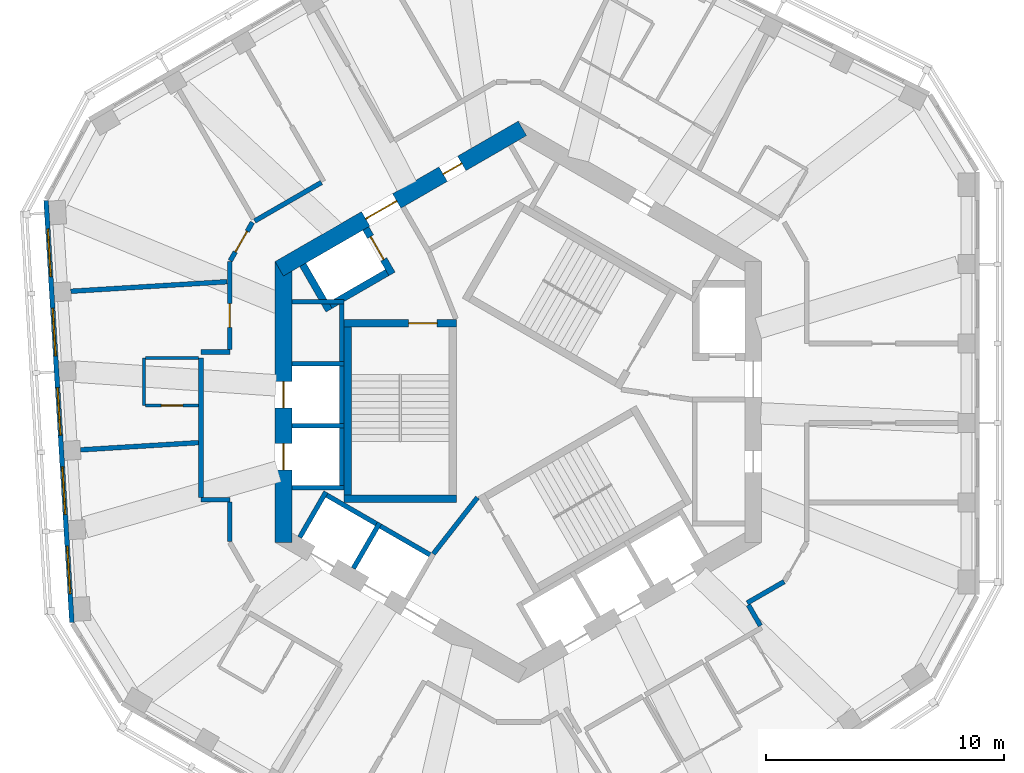
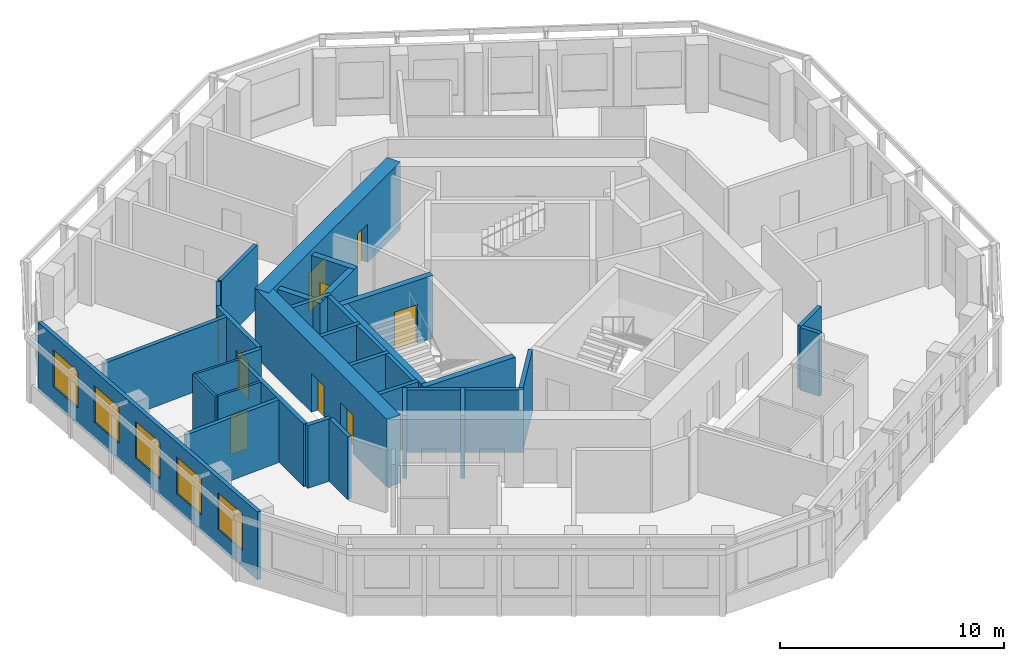
# One storey, part 5 of 11: 32 walls, 9 doors, 5 windows, 14 openings.
"""IFC4 building model written with IfcOpenShell, lengths in metres."""

from ifc_helpers import new_model, si_unit, direction, frame, frame_2d, origin, place, context, subcontext, project, spatial, rectangle, extrude, material, layer, layer_set, type_object, element, fill, save


model = new_model("IFC4")

# Units and contexts
model_context = context("Model", 3, precision=1e-05, world=origin(), true_north=direction((0.0, 1.0)))
body_context = subcontext(model_context, "Body", "Model", "MODEL_VIEW")
ifc_project = project(units=[si_unit("LENGTHUNIT", "METRE"), si_unit("AREAUNIT", "SQUARE_METRE"), si_unit("VOLUMEUNIT", "CUBIC_METRE"), si_unit("PLANEANGLEUNIT", "RADIAN"), si_unit("MASSUNIT", "GRAM", prefix="KILO")], contexts=[model_context])

# Site, building, storey
site_placement = place(None, origin())
site = spatial("IfcSite", under=ifc_project, at=site_placement, CompositionType="ELEMENT")
building_placement = place(site_placement, origin())
building = spatial("IfcBuilding", under=site, at=building_placement, Name="Vanh Sen Convention Tower", CompositionType="ELEMENT")
storey_placement = place(building_placement, frame((0.0, 0.0, 289.39990234375)))
storey = spatial("IfcBuildingStorey", under=building, at=storey_placement, Name="L71", CompositionType="ELEMENT", Elevation=289.39990234375)

# Walls
ifc_material_1 = material(Name="Moisture-resistant gypsum board on steel studs", Category="steel")
ifc_layer_1 = layer(ifc_material_1, 0.1201171875)
ifc_layer_set_1 = layer_set([ifc_layer_1], Name="Moisture-resistant gypsum board on steel studs")
wall_type_1 = type_object("IfcWallType", Name="Bathroom partition 120", PredefinedType="PARTITIONING", material=ifc_layer_set_1)
wall_1_placement = place(storey_placement, frame((-15.700927734375, -0.14892578125, 0.0), z_axis=(0.0, 0.0, 1.0), x_axis=(0.0, 1.0, 0.0)))
element("IfcWall", 1, at=wall_1_placement, inside=storey, type_object=wall_type_1, Name="Bathroom partition 120", PredefinedType="PARTITIONING", context=body_context, shape_type="SweptSolid", body=[
    extrude(rectangle(XDim=2.0, YDim=0.1201171875, at=frame_2d((1.0, 0.0))), origin(), (0.0, 0.0, 1.0), 3.420166015625),
])
wall_2_placement = place(storey_placement, frame((-15.64111328125, 1.85107421875, 0.0), z_axis=(0.0, 0.0, 1.0), x_axis=(1.0, 0.0, 0.0)))
element("IfcWall", 2, at=wall_2_placement, inside=storey, type_object=wall_type_1, Name="Bathroom partition 120", PredefinedType="PARTITIONING", context=body_context, shape_type="SweptSolid", body=[
    extrude(rectangle(XDim=2.240234375, YDim=0.1201171875, at=frame_2d((1.1201171875, 0.0))), origin(), (0.0, 0.0, 1.0), 3.420166015625),
])

# Wall, opening, door
wall_3_placement = place(storey_placement, frame((-13.40087890625, -0.14892578125, 0.0), z_axis=(0.0, 0.0, 1.0), x_axis=(-1.0, 0.0, 0.0)))
wall_3 = element("IfcWall", 3, at=wall_3_placement, inside=storey, type_object=wall_type_1, Name="Bathroom partition 120", PredefinedType="PARTITIONING", context=body_context, shape_type="SweptSolid", body=[
    extrude(rectangle(XDim=2.240234375, YDim=0.1201171875, at=frame_2d((1.1201171875, 0.0))), origin(), (0.0, 0.0, 1.0), 3.420166015625),
])
opening_1_placement = place(wall_3_placement, frame((0.669921875, 0.0, 0.0)))
opening_1 = element("IfcOpeningElement", 4, at=opening_1_placement, cuts=wall_3, Name="Opening D70112", PredefinedType="OPENING", context=body_context, shape_type="SweptSolid", body=[
    extrude(rectangle(XDim=0.89990234375, YDim=2.10009765625, at=frame_2d((0.449951171875, 1.050048828125))), frame((0.0, 0.070068359375, 0.0), z_axis=(0.0, -1.0, 0.0), x_axis=(1.0, 0.0, 0.0)), (0.0, 0.0, 1.0), 0.14013671875),
])
ifc_material_2 = material(Name="Laminate door in steel frame", Category="steel")
door_type_1 = type_object("IfcDoorType", Name="Room internal door 900", OperationType="SINGLE_SWING_LEFT", PredefinedType="DOOR", material=ifc_material_2)
door_1_placement = place(opening_1_placement, origin())
door_1 = element("IfcDoor", 5, at=door_1_placement, inside=storey, type_object=door_type_1, Name="Internal room door D70112", OperationType="SINGLE_SWING_LEFT", OverallHeight=2.10009765625, OverallWidth=0.89990234375, PredefinedType="DOOR", context=body_context, shape_type="SweptSolid", body=[
    extrude(rectangle(XDim=0.89990234375, YDim=2.10009765625, at=frame_2d((0.449951171875, 1.050048828125))), frame((0.0, 0.02490234375, 0.0), z_axis=(0.0, -1.0, 0.0), x_axis=(1.0, 0.0, 0.0)), (0.0, 0.0, 1.0), 0.050048828125),
])
fill(opening_1, door_1)

# Wall, openings, doors
ifc_material_3 = material(Name="Concrete C60/75", Category="concrete")
ifc_layer_2 = layer(ifc_material_3, 0.699951171875)
ifc_layer_set_2 = layer_set([ifc_layer_2], Name="Concrete C60/75")
wall_type_2 = type_object("IfcWallType", Name="Core outer wall 700 C60/75", PredefinedType="SHEAR", material=ifc_layer_set_2)
wall_4_placement = place(storey_placement, frame((0.175048828125, 11.474853515625, 0.0), z_axis=(0.0, 0.0, 1.0), x_axis=(-0.866026453023, -0.499998182661, 0.0)))
wall_4 = element("IfcWall", 6, at=wall_4_placement, inside=storey, type_object=wall_type_2, Name="Core wall face NW L71", PredefinedType="SHEAR", context=body_context, shape_type="SweptSolid", body=[
    extrude(rectangle(XDim=11.77783203125, YDim=0.699951171875, at=frame_2d((5.888916015625, 0.0))), origin(), (0.0, 0.0, 1.0), 3.7001953125),
])
opening_2_placement = place(wall_4_placement, frame((6.089111328125, 0.0, 0.0)))
opening_2 = element("IfcOpeningElement", 7, at=opening_2_placement, cuts=wall_4, Name="Opening D70002", PredefinedType="OPENING", context=body_context, shape_type="SweptSolid", body=[
    extrude(rectangle(XDim=1.5, YDim=2.10009765625, at=frame_2d((0.75, 1.050048828125))), frame((0.0, 0.35986328125, 0.0), z_axis=(0.0, -1.0, 0.0), x_axis=(1.0, 0.0, 0.0)), (0.0, 0.0, 1.0), 0.719970703125),
])
opening_3_placement = place(wall_4_placement, frame((2.93896484375, 0.0, 0.0)))
opening_3 = element("IfcOpeningElement", 8, at=opening_3_placement, cuts=wall_4, Name="Opening D70010", PredefinedType="OPENING", context=body_context, shape_type="SweptSolid", body=[
    extrude(rectangle(XDim=0.89990234375, YDim=2.10009765625, at=frame_2d((0.449951171875, 1.050048828125))), frame((0.0, 0.35986328125, 0.0), z_axis=(0.0, -1.0, 0.0), x_axis=(1.0, 0.0, 0.0)), (0.0, 0.0, 1.0), 0.719970703125),
])
ifc_material_4 = material(Name="Steel S355", Category="steel")
door_type_2 = type_object("IfcDoorType", Name="Plant door 900", OperationType="SINGLE_SWING_LEFT", PredefinedType="DOOR", material=ifc_material_4)
door_2_placement = place(opening_3_placement, origin())
door_2 = element("IfcDoor", 9, at=door_2_placement, inside=storey, type_object=door_type_2, Name="Plant door D70010", OperationType="SINGLE_SWING_LEFT", OverallHeight=2.10009765625, OverallWidth=0.89990234375, PredefinedType="DOOR", context=body_context, shape_type="SweptSolid", body=[
    extrude(rectangle(XDim=0.89990234375, YDim=2.10009765625, at=frame_2d((0.449951171875, 1.050048828125))), frame((0.0, 0.02490234375, 0.0), z_axis=(0.0, -1.0, 0.0), x_axis=(1.0, 0.0, 0.0)), (0.0, 0.0, 1.0), 0.050048828125),
])
fill(opening_3, door_2)
door_type_3 = type_object("IfcDoorType", Name="Stair lobby door 1500", OperationType="DOUBLE_DOOR_SINGLE_SWING", PredefinedType="DOOR", material=ifc_material_4)
door_3_placement = place(opening_2_placement, origin())
door_3 = element("IfcDoor", 10, at=door_3_placement, inside=storey, type_object=door_type_3, Name="Stair lobby door D70002", OperationType="DOUBLE_DOOR_SINGLE_SWING", OverallHeight=2.10009765625, OverallWidth=1.5, PredefinedType="DOOR", context=body_context, shape_type="SweptSolid", body=[
    extrude(rectangle(XDim=1.5, YDim=2.10009765625, at=frame_2d((0.75, 1.050048828125))), frame((0.0, 0.02490234375, 0.0), z_axis=(0.0, -1.0, 0.0), x_axis=(1.0, 0.0, 0.0)), (0.0, 0.0, 1.0), 0.050048828125),
])
fill(opening_2, door_3)

wall_5_placement = place(storey_placement, frame((-9.85009765625, 5.888916015625, 0.0), z_axis=(0.0, 0.0, 1.0), x_axis=(0.0, -1.0, 0.0)))
wall_5 = element("IfcWall", 11, at=wall_5_placement, inside=storey, type_object=wall_type_2, Name="Core wall face W L71", PredefinedType="SHEAR", context=body_context, shape_type="SweptSolid", body=[
    extrude(rectangle(XDim=11.77783203125, YDim=0.699951171875, at=frame_2d((5.888916015625, 0.0))), origin(), (0.0, 0.0, 1.0), 3.7001953125),
])
opening_4_placement = place(wall_5_placement, frame((5.0390625, 0.0, 0.0)))
opening_4 = element("IfcOpeningElement", 12, at=opening_4_placement, cuts=wall_5, Name="Opening LD-HR1", PredefinedType="OPENING", context=body_context, shape_type="SweptSolid", body=[
    extrude(rectangle(XDim=1.10009765625, YDim=2.10009765625, at=frame_2d((0.550048828125, 1.050048828125))), frame((0.0, 0.35986328125, 0.0), z_axis=(0.0, -1.0, 0.0), x_axis=(1.0, 0.0, 0.0)), (0.0, 0.0, 1.0), 0.719970703125),
])
opening_5_placement = place(wall_5_placement, frame((7.638916015625, 0.0, 0.0)))
opening_5 = element("IfcOpeningElement", 13, at=opening_5_placement, cuts=wall_5, Name="Opening LD-HR2", PredefinedType="OPENING", context=body_context, shape_type="SweptSolid", body=[
    extrude(rectangle(XDim=1.10009765625, YDim=2.10009765625, at=frame_2d((0.550048828125, 1.050048828125))), frame((0.0, 0.35986328125, 0.0), z_axis=(0.0, -1.0, 0.0), x_axis=(1.0, 0.0, 0.0)), (0.0, 0.0, 1.0), 0.719970703125),
])
ifc_material_5 = material(Name="Stainless steel", Category="steel")
door_type_4 = type_object("IfcDoorType", Name="Lift landing door 1100", OperationType="DOUBLE_DOOR_SLIDING", PredefinedType="DOOR", material=ifc_material_5)
door_4_placement = place(opening_4_placement, origin())
door_4 = element("IfcDoor", 14, at=door_4_placement, inside=storey, type_object=door_type_4, Name="Lift HR1 landing door LD-HR1", OperationType="DOUBLE_DOOR_SLIDING", OverallHeight=2.10009765625, OverallWidth=1.10009765625, PredefinedType="DOOR", context=body_context, shape_type="SweptSolid", body=[
    extrude(rectangle(XDim=1.10009765625, YDim=2.10009765625, at=frame_2d((0.550048828125, 1.050048828125))), frame((0.0, 0.02490234375, 0.0), z_axis=(0.0, -1.0, 0.0), x_axis=(1.0, 0.0, 0.0)), (0.0, 0.0, 1.0), 0.050048828125),
])
fill(opening_4, door_4)
door_5_placement = place(opening_5_placement, origin())
door_5 = element("IfcDoor", 15, at=door_5_placement, inside=storey, type_object=door_type_4, Name="Lift HR2 landing door LD-HR2", OperationType="DOUBLE_DOOR_SLIDING", OverallHeight=2.10009765625, OverallWidth=1.10009765625, PredefinedType="DOOR", context=body_context, shape_type="SweptSolid", body=[
    extrude(rectangle(XDim=1.10009765625, YDim=2.10009765625, at=frame_2d((0.550048828125, 1.050048828125))), frame((0.0, 0.02490234375, 0.0), z_axis=(0.0, -1.0, 0.0), x_axis=(1.0, 0.0, 0.0)), (0.0, 0.0, 1.0), 0.050048828125),
])
fill(opening_5, door_5)

# Walls
ifc_material_6 = material(Name="Gypsum board on steel studs with mineral wool", Category="steel")
ifc_layer_3 = layer(ifc_material_6, 0.199951171875)
ifc_layer_set_3 = layer_set([ifc_layer_3], Name="Gypsum board on steel studs with mineral wool")
wall_type_3 = type_object("IfcWallType", Name="Corridor partition wall 200", PredefinedType="PARTITIONING", material=ifc_layer_set_3)
wall_6_placement = place(storey_placement, frame((-13.301025390625, -4.10107421875, 0.0), z_axis=(0.0, 0.0, 1.0), x_axis=(1.0, 0.0, 0.0)))
element("IfcWall", 16, at=wall_6_placement, inside=storey, type_object=wall_type_3, Name="Corridor partition wall 200", PredefinedType="PARTITIONING", context=body_context, shape_type="SweptSolid", body=[
    extrude(rectangle(XDim=1.200927734375, YDim=0.199951171875, at=frame_2d((0.6005859375, 0.0))), origin(), (0.0, 0.0, 1.0), 3.420166015625),
])
wall_7_placement = place(storey_placement, frame((-13.301025390625, 1.85107421875, 0.0), z_axis=(0.0, 0.0, 1.0), x_axis=(0.0, -1.0, 0.0)))
element("IfcWall", 17, at=wall_7_placement, inside=storey, type_object=wall_type_3, Name="Corridor partition wall 200", PredefinedType="PARTITIONING", context=body_context, shape_type="SweptSolid", body=[
    extrude(rectangle(XDim=5.85205078125, YDim=0.199951171875, at=frame_2d((2.926025390625, 0.0))), origin(), (0.0, 0.0, 1.0), 3.420166015625),
])
wall_8_placement = place(storey_placement, frame((-12.10009765625, -4.200927734375, 0.0), z_axis=(0.0, 0.0, 1.0), x_axis=(0.0, -1.0, 0.0)))
element("IfcWall", 18, at=wall_8_placement, inside=storey, type_object=wall_type_3, Name="Corridor partition wall 200", PredefinedType="PARTITIONING", context=body_context, shape_type="SweptSolid", body=[
    extrude(rectangle(XDim=1.648193359375, YDim=0.199951171875, at=frame_2d((0.82421875, 0.0))), origin(), (0.0, 0.0, 1.0), 3.420166015625),
])
wall_9_placement = place(storey_placement, frame((-12.10009765625, 2.10107421875, 0.0), z_axis=(0.0, 0.0, 1.0), x_axis=(-1.0, 0.0, 0.0)))
element("IfcWall", 19, at=wall_9_placement, inside=storey, type_object=wall_type_3, Name="Corridor partition wall 200", PredefinedType="PARTITIONING", context=body_context, shape_type="SweptSolid", body=[
    extrude(rectangle(XDim=1.200927734375, YDim=0.199951171875, at=frame_2d((0.6005859375, 0.0))), origin(), (0.0, 0.0, 1.0), 3.420166015625),
])

# Wall, opening, door
wall_10_placement = place(storey_placement, frame((-12.10009765625, 5.888916015625, 0.0), z_axis=(0.0, 0.0, 1.0), x_axis=(0.0, -1.0, 0.0)))
wall_10 = element("IfcWall", 20, at=wall_10_placement, inside=storey, type_object=wall_type_3, Name="Corridor partition wall 200", PredefinedType="PARTITIONING", context=body_context, shape_type="SweptSolid", body=[
    extrude(rectangle(XDim=3.68798828125, YDim=0.199951171875, at=frame_2d((1.843994140625, 0.0))), origin(), (0.0, 0.0, 1.0), 3.420166015625),
])
opening_6_placement = place(wall_10_placement, frame((1.76318359375, 0.0, 0.0)))
opening_6 = element("IfcOpeningElement", 21, at=opening_6_placement, cuts=wall_10, Name="Opening D70111", PredefinedType="OPENING", context=body_context, shape_type="SweptSolid", body=[
    extrude(rectangle(XDim=1.0, YDim=2.10009765625, at=frame_2d((0.5, 1.050048828125))), frame((0.0, 0.10986328125, 0.0), z_axis=(0.0, -1.0, 0.0), x_axis=(1.0, 0.0, 0.0)), (0.0, 0.0, 1.0), 0.219970703125),
])
ifc_material_7 = material(Name="Glazed fire door in steel frame", Category="steel")
door_type_5 = type_object("IfcDoorType", Name="Tenant entrance door 1000", OperationType="SINGLE_SWING_LEFT", PredefinedType="DOOR", material=ifc_material_7)
door_6_placement = place(opening_6_placement, origin())
door_6 = element("IfcDoor", 22, at=door_6_placement, inside=storey, type_object=door_type_5, Name="Tenant suite entrance door D70111", OperationType="SINGLE_SWING_LEFT", OverallHeight=2.10009765625, OverallWidth=1.0, PredefinedType="DOOR", context=body_context, shape_type="SweptSolid", body=[
    extrude(rectangle(XDim=1.0, YDim=2.10009765625, at=frame_2d((0.5, 1.050048828125))), frame((0.0, 0.02490234375, 0.0), z_axis=(0.0, -1.0, 0.0), x_axis=(1.0, 0.0, 0.0)), (0.0, 0.0, 1.0), 0.050048828125),
])
fill(opening_6, door_6)

wall_11_placement = place(storey_placement, frame((-11.14990234375, 7.534423828125, 0.0), z_axis=(0.0, 0.0, 1.0), x_axis=(-0.500063286585, -0.865988862174, 0.0)))
wall_11 = element("IfcWall", 23, at=wall_11_placement, inside=storey, type_object=wall_type_3, Name="Corridor partition wall 200", PredefinedType="PARTITIONING", context=body_context, shape_type="SweptSolid", body=[
    extrude(rectangle(XDim=1.860107421875, YDim=0.199951171875, at=frame_2d((0.93017578125, 0.0))), origin(), (0.0, 0.0, 1.0), 3.420166015625),
])
opening_7_placement = place(wall_11_placement, frame((0.43017578125, 0.0, 0.0)))
opening_7 = element("IfcOpeningElement", 24, at=opening_7_placement, cuts=wall_11, Name="Opening D70110", PredefinedType="OPENING", context=body_context, shape_type="SweptSolid", body=[
    extrude(rectangle(XDim=1.0, YDim=2.10009765625, at=frame_2d((0.5, 1.050048828125))), frame((0.0, 0.10986328125, 0.0), z_axis=(0.0, -1.0, 0.0), x_axis=(1.0, 0.0, 0.0)), (0.0, 0.0, 1.0), 0.219970703125),
])
ifc_material_8 = material(Name="Timber fire door in steel frame", Category="steel")
door_type_6 = type_object("IfcDoorType", Name="Floor room door 1000", OperationType="SINGLE_SWING_LEFT", PredefinedType="DOOR", material=ifc_material_8)
door_7_placement = place(opening_7_placement, origin())
door_7 = element("IfcDoor", 25, at=door_7_placement, inside=storey, type_object=door_type_6, Name="Meeting and amenity room door D70110", OperationType="SINGLE_SWING_LEFT", OverallHeight=2.10009765625, OverallWidth=1.0, PredefinedType="DOOR", context=body_context, shape_type="SweptSolid", body=[
    extrude(rectangle(XDim=1.0, YDim=2.10009765625, at=frame_2d((0.5, 1.050048828125))), frame((0.0, 0.02490234375, 0.0), z_axis=(0.0, -1.0, 0.0), x_axis=(1.0, 0.0, 0.0)), (0.0, 0.0, 1.0), 0.050048828125),
])
fill(opening_7, door_7)

# Walls
wall_12_placement = place(storey_placement, frame((-8.2568359375, 9.204833984375, 0.0), z_axis=(0.0, 0.0, 1.0), x_axis=(-0.866030838723, -0.499990586292, 0.0)))
element("IfcWall", 26, at=wall_12_placement, inside=storey, type_object=wall_type_3, Name="Corridor partition wall 200", PredefinedType="PARTITIONING", context=body_context, shape_type="SweptSolid", body=[
    extrude(rectangle(XDim=3.2314453125, YDim=0.199951171875, at=frame_2d((1.61572265625, 0.0))), origin(), (0.0, 0.0, 1.0), 3.420166015625),
])
wall_13_placement = place(storey_placement, frame((9.6015625, -8.428466796875, 0.0), z_axis=(0.0, 0.0, 1.0), x_axis=(0.865999114786, 0.500045531117, 0.0)))
element("IfcWall", 27, at=wall_13_placement, inside=storey, type_object=wall_type_3, Name="Corridor partition wall 200", PredefinedType="PARTITIONING", context=body_context, shape_type="SweptSolid", body=[
    extrude(rectangle(XDim=1.787841796875, YDim=0.199951171875, at=frame_2d((0.89404296875, 0.0))), origin(), (0.0, 0.0, 1.0), 3.420166015625),
])
wall_14_placement = place(storey_placement, frame((10.152099609375, -9.3818359375, 0.0), z_axis=(0.0, 0.0, 1.0), x_axis=(-0.499968756647, 0.866043441391, 0.0)))
element("IfcWall", 28, at=wall_14_placement, inside=storey, type_object=wall_type_3, Name="Corridor partition wall 200", PredefinedType="PARTITIONING", context=body_context, shape_type="SweptSolid", body=[
    extrude(rectangle(XDim=1.0009765625, YDim=0.199951171875, at=frame_2d((0.50048828125, 0.0))), origin(), (0.0, 0.0, 1.0), 3.420166015625),
])

# Wall, openings, windows
ifc_material_9 = material(Name="Insulated lightweight infill wall")
ifc_layer_4 = layer(ifc_material_9, 0.199951171875)
ifc_layer_set_4 = layer_set([ifc_layer_4], Name="Insulated lightweight infill wall")
wall_type_4 = type_object("IfcWallType", Name="External wall 200", PredefinedType="STANDARD", material=ifc_layer_set_4)
wall_15_placement = place(storey_placement, frame((-19.802978515625, 8.4541015625, 0.0), z_axis=(0.0, 0.0, 1.0), x_axis=(0.061036717565, -0.998135521414, 0.0)))
wall_15 = element("IfcWall", 29, at=wall_15_placement, inside=storey, type_object=wall_type_4, Name="External wall W L71", PredefinedType="STANDARD", context=body_context, shape_type="SweptSolid", body=[
    extrude(rectangle(XDim=17.7314453125, YDim=0.199951171875, at=frame_2d((8.86572265625, 0.0))), origin(), (0.0, 0.0, 1.0), 3.7001953125),
])
opening_8_placement = place(wall_15_placement, frame((1.20166015625, 0.0, 0.89990234375)))
opening_8 = element("IfcOpeningElement", 30, at=opening_8_placement, cuts=wall_15, Name="Opening WO5-W1", PredefinedType="OPENING", context=body_context, shape_type="SweptSolid", body=[
    extrude(rectangle(XDim=2.0, YDim=2.0, at=frame_2d((1.0, 1.0))), frame((0.0, 0.10986328125, 0.0), z_axis=(0.0, -1.0, 0.0), x_axis=(1.0, 0.0, 0.0)), (0.0, 0.0, 1.0), 0.219970703125),
])
opening_9_placement = place(wall_15_placement, frame((4.533203125, 0.0, 0.89990234375)))
opening_9 = element("IfcOpeningElement", 31, at=opening_9_placement, cuts=wall_15, Name="Opening WO5-W2", PredefinedType="OPENING", context=body_context, shape_type="SweptSolid", body=[
    extrude(rectangle(XDim=2.0, YDim=2.0, at=frame_2d((1.0, 1.0))), frame((0.0, 0.10986328125, 0.0), z_axis=(0.0, -1.0, 0.0), x_axis=(1.0, 0.0, 0.0)), (0.0, 0.0, 1.0), 0.219970703125),
])
opening_10_placement = place(wall_15_placement, frame((7.864990234375, 0.0, 0.89990234375)))
opening_10 = element("IfcOpeningElement", 32, at=opening_10_placement, cuts=wall_15, Name="Opening WO5-W3", PredefinedType="OPENING", context=body_context, shape_type="SweptSolid", body=[
    extrude(rectangle(XDim=2.0, YDim=2.0, at=frame_2d((1.0, 1.0))), frame((0.0, 0.10986328125, 0.0), z_axis=(0.0, -1.0, 0.0), x_axis=(1.0, 0.0, 0.0)), (0.0, 0.0, 1.0), 0.219970703125),
])
opening_11_placement = place(wall_15_placement, frame((11.196533203125, 0.0, 0.89990234375)))
opening_11 = element("IfcOpeningElement", 33, at=opening_11_placement, cuts=wall_15, Name="Opening WO5-W4", PredefinedType="OPENING", context=body_context, shape_type="SweptSolid", body=[
    extrude(rectangle(XDim=2.0, YDim=2.0, at=frame_2d((1.0, 1.0))), frame((0.0, 0.10986328125, 0.0), z_axis=(0.0, -1.0, 0.0), x_axis=(1.0, 0.0, 0.0)), (0.0, 0.0, 1.0), 0.219970703125),
])
opening_12_placement = place(wall_15_placement, frame((14.5283203125, 0.0, 0.89990234375)))
opening_12 = element("IfcOpeningElement", 34, at=opening_12_placement, cuts=wall_15, Name="Opening WO5-W5", PredefinedType="OPENING", context=body_context, shape_type="SweptSolid", body=[
    extrude(rectangle(XDim=2.0, YDim=2.0, at=frame_2d((1.0, 1.0))), frame((0.0, 0.10986328125, 0.0), z_axis=(0.0, -1.0, 0.0), x_axis=(1.0, 0.0, 0.0)), (0.0, 0.0, 1.0), 0.219970703125),
])
ifc_material_10 = material(Name="Aluminium frame with clear low-emissivity glass", Category="aluminium")
window_type = type_object("IfcWindowType", Name="Office window 2000 x 2000", PartitioningType="SINGLE_PANEL", PredefinedType="WINDOW", material=ifc_material_10)
window_1_placement = place(opening_8_placement, origin())
window_1 = element("IfcWindow", 35, at=window_1_placement, inside=storey, type_object=window_type, Name="Window WO5-W1", OverallHeight=2.0, OverallWidth=2.0, PartitioningType="SINGLE_PANEL", PredefinedType="WINDOW", context=body_context, shape_type="SweptSolid", body=[
    extrude(rectangle(XDim=2.0, YDim=2.0, at=frame_2d((1.0, 1.0))), frame((0.0, 0.030029296875, 0.0), z_axis=(0.0, -1.0, 0.0), x_axis=(1.0, 0.0, 0.0)), (0.0, 0.0, 1.0), 0.06005859375),
])
fill(opening_8, window_1)
window_2_placement = place(opening_9_placement, origin())
window_2 = element("IfcWindow", 36, at=window_2_placement, inside=storey, type_object=window_type, Name="Window WO5-W2", OverallHeight=2.0, OverallWidth=2.0, PartitioningType="SINGLE_PANEL", PredefinedType="WINDOW", context=body_context, shape_type="SweptSolid", body=[
    extrude(rectangle(XDim=2.0, YDim=2.0, at=frame_2d((1.0, 1.0))), frame((0.0, 0.030029296875, 0.0), z_axis=(0.0, -1.0, 0.0), x_axis=(1.0, 0.0, 0.0)), (0.0, 0.0, 1.0), 0.06005859375),
])
fill(opening_9, window_2)
window_3_placement = place(opening_10_placement, origin())
window_3 = element("IfcWindow", 37, at=window_3_placement, inside=storey, type_object=window_type, Name="Window WO5-W3", OverallHeight=2.0, OverallWidth=2.0, PartitioningType="SINGLE_PANEL", PredefinedType="WINDOW", context=body_context, shape_type="SweptSolid", body=[
    extrude(rectangle(XDim=2.0, YDim=2.0, at=frame_2d((1.0, 1.0))), frame((0.0, 0.030029296875, 0.0), z_axis=(0.0, -1.0, 0.0), x_axis=(1.0, 0.0, 0.0)), (0.0, 0.0, 1.0), 0.06005859375),
])
fill(opening_10, window_3)
window_4_placement = place(opening_11_placement, origin())
window_4 = element("IfcWindow", 38, at=window_4_placement, inside=storey, type_object=window_type, Name="Window WO5-W4", OverallHeight=2.0, OverallWidth=2.0, PartitioningType="SINGLE_PANEL", PredefinedType="WINDOW", context=body_context, shape_type="SweptSolid", body=[
    extrude(rectangle(XDim=2.0, YDim=2.0, at=frame_2d((1.0, 1.0))), frame((0.0, 0.030029296875, 0.0), z_axis=(0.0, -1.0, 0.0), x_axis=(1.0, 0.0, 0.0)), (0.0, 0.0, 1.0), 0.06005859375),
])
fill(opening_11, window_4)
window_5_placement = place(opening_12_placement, origin())
window_5 = element("IfcWindow", 39, at=window_5_placement, inside=storey, type_object=window_type, Name="Window WO5-W5", OverallHeight=2.0, OverallWidth=2.0, PartitioningType="SINGLE_PANEL", PredefinedType="WINDOW", context=body_context, shape_type="SweptSolid", body=[
    extrude(rectangle(XDim=2.0, YDim=2.0, at=frame_2d((1.0, 1.0))), frame((0.0, 0.030029296875, 0.0), z_axis=(0.0, -1.0, 0.0), x_axis=(1.0, 0.0, 0.0)), (0.0, 0.0, 1.0), 0.06005859375),
])
fill(opening_12, window_5)

# Wall, opening, door
ifc_layer_5 = layer(ifc_material_3, 0.300048828125)
ifc_layer_set_5 = layer_set([ifc_layer_5], Name="Concrete C60/75")
wall_type_5 = type_object("IfcWallType", Name="Fire-fighting lift shaft wall 300", PredefinedType="SHEAR", material=ifc_layer_set_5)
wall_16_placement = place(storey_placement, frame((-5.29541015625, 5.3720703125, 0.0), z_axis=(0.0, 0.0, 1.0), x_axis=(-0.500077893725, 0.86598042715, 0.0)))
wall_16 = element("IfcWall", 40, at=wall_16_placement, inside=storey, type_object=wall_type_5, Name="Fire-fighting lift shaft wall L71", PredefinedType="SHEAR", context=body_context, shape_type="SweptSolid", body=[
    extrude(rectangle(XDim=2.199951171875, YDim=0.300048828125, at=frame_2d((1.10009765625, 0.0))), origin(), (0.0, 0.0, 1.0), 3.420166015625),
])
opening_13_placement = place(wall_16_placement, frame((0.699951171875, 0.0, 0.0)))
opening_13 = element("IfcOpeningElement", 41, at=opening_13_placement, cuts=wall_16, Name="Opening LD-FF2", PredefinedType="OPENING", context=body_context, shape_type="SweptSolid", body=[
    extrude(rectangle(XDim=1.10009765625, YDim=2.10009765625, at=frame_2d((0.550048828125, 1.050048828125))), frame((0.0, 0.159912109375, 0.0), z_axis=(0.0, -1.0, 0.0), x_axis=(1.0, 0.0, 0.0)), (0.0, 0.0, 1.0), 0.320068359375),
])
door_type_7 = type_object("IfcDoorType", Name="Fire-fighting lift landing door 1100", OperationType="DOUBLE_DOOR_SLIDING", PredefinedType="DOOR", material=ifc_material_5)
door_8_placement = place(opening_13_placement, origin())
door_8 = element("IfcDoor", 42, at=door_8_placement, inside=storey, type_object=door_type_7, Name="Lift FF2 landing door LD-FF2", OperationType="DOUBLE_DOOR_SLIDING", OverallHeight=2.10009765625, OverallWidth=1.10009765625, PredefinedType="DOOR", context=body_context, shape_type="SweptSolid", body=[
    extrude(rectangle(XDim=1.10009765625, YDim=2.10009765625, at=frame_2d((0.550048828125, 1.050048828125))), frame((0.0, 0.02490234375, 0.0), z_axis=(0.0, -1.0, 0.0), x_axis=(1.0, 0.0, 0.0)), (0.0, 0.0, 1.0), 0.050048828125),
])
fill(opening_13, door_8)

# Walls
wall_17_placement = place(storey_placement, frame((-5.240478515625, 5.576904296875, 0.0), z_axis=(0.0, 0.0, 1.0), x_axis=(-0.866014461049, -0.500018952895, 0.0)))
element("IfcWall", 43, at=wall_17_placement, inside=storey, type_object=wall_type_5, Name="Fire-fighting lift shaft wall L71", PredefinedType="SHEAR", context=body_context, shape_type="SweptSolid", body=[
    extrude(rectangle(XDim=3.349853515625, YDim=0.300048828125, at=frame_2d((1.6748046875, 0.0))), origin(), (0.0, 0.0, 1.0), 3.420166015625),
])
wall_18_placement = place(storey_placement, frame((-7.936767578125, 3.846923828125, 0.0), z_axis=(0.0, 0.0, 1.0), x_axis=(-0.50002983664, 0.866008176907, 0.0)))
element("IfcWall", 44, at=wall_18_placement, inside=storey, type_object=wall_type_5, Name="Fire-fighting lift shaft wall L71", PredefinedType="SHEAR", context=body_context, shape_type="SweptSolid", body=[
    extrude(rectangle(XDim=2.199951171875, YDim=0.300048828125, at=frame_2d((1.10009765625, 0.0))), origin(), (0.0, 0.0, 1.0), 3.420166015625),
])
ifc_material_11 = material(Name="Concrete C40/50", Category="concrete")
ifc_layer_6 = layer(ifc_material_11, 0.199951171875)
ifc_layer_set_6 = layer_set([ifc_layer_6], Name="Concrete C40/50")
wall_type_6 = type_object("IfcWallType", Name="Lift shaft wall 200", PredefinedType="PARTITIONING", material=ifc_layer_set_6)
wall_19_placement = place(storey_placement, frame((-7.39990234375, 4.300048828125, 0.0), z_axis=(0.0, 0.0, 1.0), x_axis=(0.0, -1.0, 0.0)))
element("IfcWall", 45, at=wall_19_placement, inside=storey, type_object=wall_type_6, Name="Lift shaft wall L71", PredefinedType="PARTITIONING", context=body_context, shape_type="SweptSolid", body=[
    extrude(rectangle(XDim=8.0, YDim=0.199951171875, at=frame_2d((4.0, 0.0))), origin(), (0.0, 0.0, 1.0), 3.420166015625),
])
for number, where, z_axis, x_axis, name in (
    (46, (-7.300048828125, 4.199951171875, 0.0), (0.0, 0.0, 1.0), (-1.0, 0.0, 0.0), "Lift shaft wall L71"),
    (47, (-7.300048828125, 1.60009765625, 0.0), (0.0, 0.0, 1.0), (-1.0, 0.0, 0.0), "Lift shaft wall L71"),
    (48, (-7.300048828125, -1.0, 0.0), (0.0, 0.0, 1.0), (-1.0, 0.0, 0.0), "Lift shaft wall L71"),
    (49, (-7.300048828125, -3.60009765625, 0.0), (0.0, 0.0, 1.0), (-1.0, 0.0, 0.0), "Lift shaft wall L71"),
):
    element("IfcWall", number, at=place(storey_placement, frame(where, z_axis=z_axis, x_axis=x_axis)), inside=storey, type_object=wall_type_6, Name=name, PredefinedType="PARTITIONING", context=body_context, shape_type="SweptSolid", body=[
        extrude(rectangle(XDim=2.199951171875, YDim=0.199951171875, at=frame_2d((1.10009765625, 0.0))), origin(), (0.0, 0.0, 1.0), 3.420166015625),
    ])
wall_20_placement = place(storey_placement, frame((-8.203369140625, -3.80859375, 0.0), z_axis=(0.0, 0.0, 1.0), x_axis=(0.866028230842, -0.499995103361, 0.0)))
element("IfcWall", 50, at=wall_20_placement, inside=storey, type_object=wall_type_6, Name="Lift shaft wall L71", PredefinedType="PARTITIONING", context=body_context, shape_type="SweptSolid", body=[
    extrude(rectangle(XDim=5.39990234375, YDim=0.199951171875, at=frame_2d((2.699951171875, 0.0))), origin(), (0.0, 0.0, 1.0), 3.420166015625),
])
for number, where, z_axis, x_axis, name in (
    (51, (-8.066650390625, -3.77197265625, 0.0), (0.0, 0.0, 1.0), (-0.50002983664, -0.866008176907, 0.0), "Lift shaft wall L71"),
    (52, (-5.815185546875, -5.072021484375, 0.0), (0.0, 0.0, 1.0), (-0.499946605688, -0.86605622881, 0.0), "Lift shaft wall L71"),
):
    element("IfcWall", number, at=place(storey_placement, frame(where, z_axis=z_axis, x_axis=x_axis)), inside=storey, type_object=wall_type_6, Name=name, PredefinedType="PARTITIONING", context=body_context, shape_type="SweptSolid", body=[
        extrude(rectangle(XDim=2.199951171875, YDim=0.199951171875, at=frame_2d((1.10009765625, 0.0))), origin(), (0.0, 0.0, 1.0), 3.420166015625),
    ])
ifc_layer_7 = layer(ifc_material_11, 0.199951171875)
ifc_layer_set_7 = layer_set([ifc_layer_7], Name="Concrete C40/50")
wall_type_7 = type_object("IfcWallType", Name="Stair lobby wall 200", PredefinedType="PARTITIONING", material=ifc_layer_set_7)
wall_21_placement = place(storey_placement, frame((-1.71240234375, -4.00830078125, 0.0), z_axis=(0.0, 0.0, 1.0), x_axis=(-0.616549420702, -0.787316208287, 0.0)))
element("IfcWall", 53, at=wall_21_placement, inside=storey, type_object=wall_type_7, Name="Stair lobby wall L71", PredefinedType="PARTITIONING", context=body_context, shape_type="SweptSolid", body=[
    extrude(rectangle(XDim=3.002197265625, YDim=0.199951171875, at=frame_2d((1.5009765625, 0.0))), origin(), (0.0, 0.0, 1.0), 3.420166015625),
])

# Wall, opening, door
ifc_layer_8 = layer(ifc_material_3, 0.300048828125)
ifc_layer_set_8 = layer_set([ifc_layer_8], Name="Concrete C60/75")
wall_type_8 = type_object("IfcWallType", Name="Stair wall 300", PredefinedType="SHEAR", material=ifc_layer_set_8)
wall_22_placement = place(storey_placement, frame((-2.60009765625, 3.300048828125, 0.0), z_axis=(0.0, 0.0, 1.0), x_axis=(-1.0, 0.0, 0.0)))
wall_22 = element("IfcWall", 54, at=wall_22_placement, inside=storey, type_object=wall_type_8, Name="Stair wall L71", PredefinedType="SHEAR", context=body_context, shape_type="SweptSolid", body=[
    extrude(rectangle(XDim=4.699951171875, YDim=0.300048828125, at=frame_2d((2.35009765625, 0.0))), origin(), (0.0, 0.0, 1.0), 3.420166015625),
])
opening_14_placement = place(wall_22_placement, frame((0.800048828125, 0.0, 0.0)))
opening_14 = element("IfcOpeningElement", 55, at=opening_14_placement, cuts=wall_22, Name="Opening D70005", PredefinedType="OPENING", context=body_context, shape_type="SweptSolid", body=[
    extrude(rectangle(XDim=1.199951171875, YDim=2.10009765625, at=frame_2d((0.60009765625, 1.050048828125))), frame((0.0, 0.159912109375, 0.0), z_axis=(0.0, -1.0, 0.0), x_axis=(1.0, 0.0, 0.0)), (0.0, 0.0, 1.0), 0.320068359375),
])
door_type_8 = type_object("IfcDoorType", Name="Stair door 1200", OperationType="SINGLE_SWING_RIGHT", PredefinedType="DOOR", material=ifc_material_4)
door_9_placement = place(opening_14_placement, origin())
door_9 = element("IfcDoor", 56, at=door_9_placement, inside=storey, type_object=door_type_8, Name="Stair ST2 door D70005", OperationType="SINGLE_SWING_RIGHT", OverallHeight=2.10009765625, OverallWidth=1.199951171875, PredefinedType="DOOR", context=body_context, shape_type="SweptSolid", body=[
    extrude(rectangle(XDim=1.199951171875, YDim=2.10009765625, at=frame_2d((0.60009765625, 1.050048828125))), frame((0.0, 0.02490234375, 0.0), z_axis=(0.0, -1.0, 0.0), x_axis=(1.0, 0.0, 0.0)), (0.0, 0.0, 1.0), 0.050048828125),
])
fill(opening_14, door_9)

# Walls
wall_23_placement = place(storey_placement, frame((-2.60009765625, -4.06005859375, 0.0), z_axis=(0.0, 0.0, 1.0), x_axis=(-1.0, 0.0, 0.0)))
element("IfcWall", 57, at=wall_23_placement, inside=storey, type_object=wall_type_8, Name="Stair wall L71", PredefinedType="SHEAR", context=body_context, shape_type="SweptSolid", body=[
    extrude(rectangle(XDim=4.699951171875, YDim=0.300048828125, at=frame_2d((2.35009765625, 0.0))), origin(), (0.0, 0.0, 1.0), 3.420166015625),
])
wall_24_placement = place(storey_placement, frame((-7.14990234375, 3.14990234375, 0.0), z_axis=(0.0, 0.0, 1.0), x_axis=(0.0, -1.0, 0.0)))
element("IfcWall", 58, at=wall_24_placement, inside=storey, type_object=wall_type_8, Name="Stair wall L71", PredefinedType="SHEAR", context=body_context, shape_type="SweptSolid", body=[
    extrude(rectangle(XDim=7.059814453125, YDim=0.300048828125, at=frame_2d((3.52978515625, 0.0))), origin(), (0.0, 0.0, 1.0), 3.420166015625),
])
ifc_layer_9 = layer(ifc_material_6, 0.199951171875)
ifc_layer_set_9 = layer_set([ifc_layer_9], Name="Gypsum board on steel studs with mineral wool")
wall_type_9 = type_object("IfcWallType", Name="Tenant suite wall 200", PredefinedType="PARTITIONING", material=ifc_layer_set_9)
wall_25_placement = place(storey_placement, frame((-18.768310546875, 4.642822265625, 0.0), z_axis=(0.0, 0.0, 1.0), x_axis=(0.99813496285, 0.0610458511, 0.0)))
element("IfcWall", 59, at=wall_25_placement, inside=storey, type_object=wall_type_9, Name="Tenant suite wall 200", PredefinedType="PARTITIONING", context=body_context, shape_type="SweptSolid", body=[
    extrude(rectangle(XDim=6.57080078125, YDim=0.199951171875, at=frame_2d((3.285400390625, 0.0))), origin(), (0.0, 0.0, 1.0), 3.420166015625),
])
wall_26_placement = place(storey_placement, frame((-18.36181640625, -2.008056640625, 0.0), z_axis=(0.0, 0.0, 1.0), x_axis=(0.998135748374, 0.061033005966, 0.0)))
element("IfcWall", 60, at=wall_26_placement, inside=storey, type_object=wall_type_9, Name="Tenant suite wall 200", PredefinedType="PARTITIONING", context=body_context, shape_type="SweptSolid", body=[
    extrude(rectangle(XDim=4.960205078125, YDim=0.199951171875, at=frame_2d((2.47998046875, 0.0))), origin(), (0.0, 0.0, 1.0), 3.420166015625),
])

save(model, "model.ifc")
